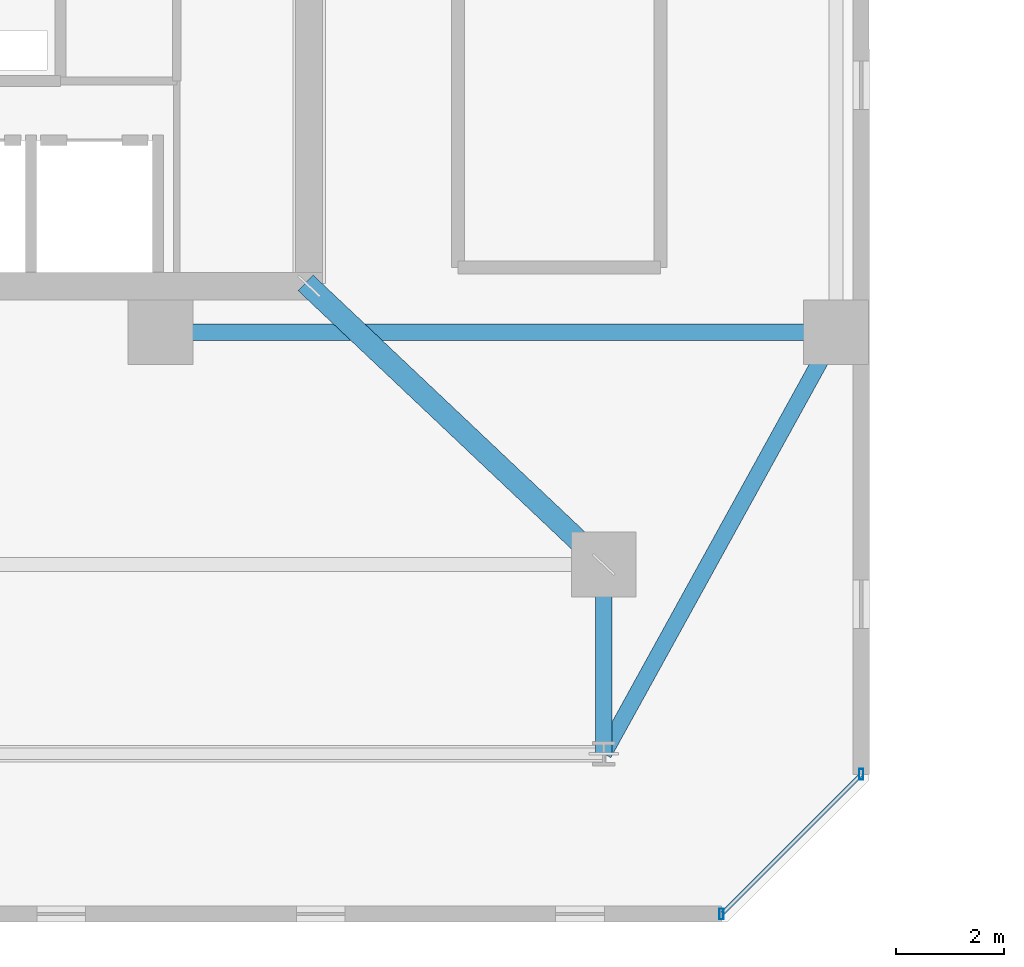
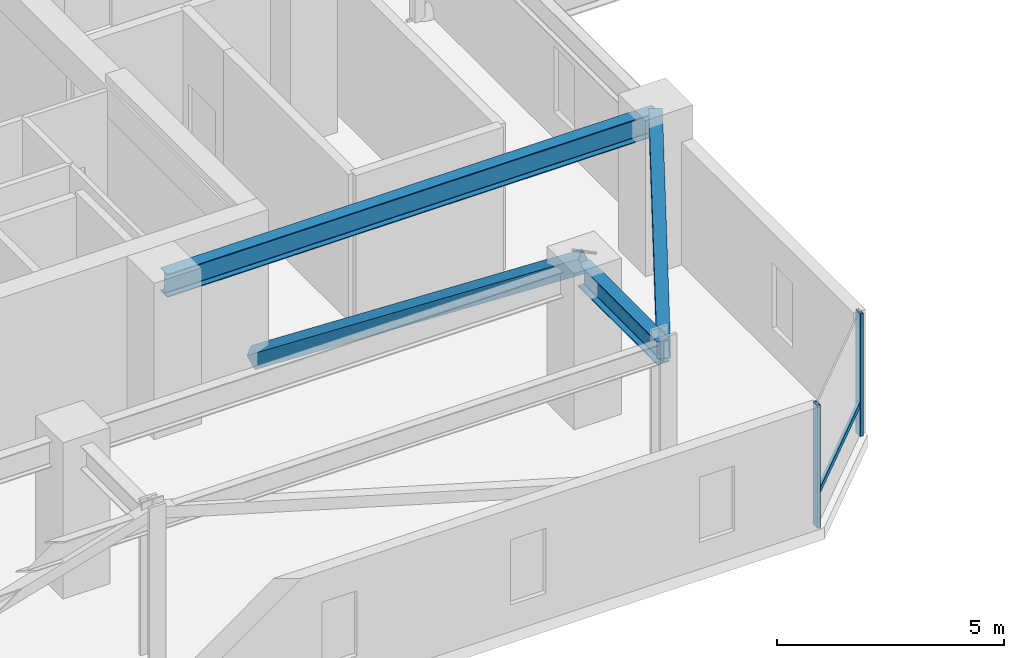
# One storey, part 5 of 45: 4 members, 3 beams, 1 element without a shape of its own.
"""IFC4 building model written with IfcOpenShell, lengths in metres."""

from ifc_helpers import new_model, si_unit, direction, frame, origin, origin_2d, place, context, subcontext, project, spatial, hollow_rectangle, i_section, extrude, material, material_profile, profile_set, type_object, element, aggregate, save


model = new_model("IFC4")

# Units and contexts
model_context = context("Model", 3, precision=1e-05, world=origin(), true_north=direction((0.0, 1.0)))
body_context = subcontext(model_context, "Body", "Model", "MODEL_VIEW")
ifc_project = project(units=[si_unit("LENGTHUNIT", "METRE"), si_unit("AREAUNIT", "SQUARE_METRE"), si_unit("VOLUMEUNIT", "CUBIC_METRE"), si_unit("PLANEANGLEUNIT", "RADIAN"), si_unit("MASSUNIT", "GRAM", prefix="KILO")], contexts=[model_context])

# Site, building, storey
site_placement = place(None, origin())
site = spatial("IfcSite", under=ifc_project, at=site_placement, CompositionType="ELEMENT")
building_placement = place(site_placement, origin())
building = spatial("IfcBuilding", under=site, at=building_placement, Name="Thornwick Lancets Civic Towers", CompositionType="ELEMENT")
storey_placement = place(building_placement, frame((0.0, 0.0, 141.300048828125)))
storey = spatial("IfcBuildingStorey", under=building, at=storey_placement, Name="L37", CompositionType="ELEMENT", Elevation=141.300048828125)

# Beams
ifc_material_1 = material(Name="Steel S355JR", Category="steel")
ifc_material_profile_1 = material_profile(ifc_material_1, i_section(OverallWidth=0.30712890625, OverallDepth=0.6201171875, WebThickness=0.01416015625, FlangeThickness=0.023681640625, FilletRadius=0.0166015625, at=origin_2d()), Name="UKB 610x305x179")
ifc_profile_set_1 = profile_set([ifc_material_profile_1], Name="Steel S355JR")
beam_type_1 = type_object("IfcBeamType", Name="BM_GIRD_610_179", PredefinedType="BEAM", material=ifc_profile_set_1)
beam_1_placement = place(storey_placement, frame((38.5, 9.699951171875, 3.64990234375), z_axis=(0.0, -1.0, 0.0), x_axis=(1.0, 0.0, 0.0)))
element("IfcBeam", 1, at=beam_1_placement, inside=storey, type_object=beam_type_1, Name="BM-RAD-L37-A03", PredefinedType="BEAM", context=body_context, shape_type="SweptSolid", body=[
    extrude(i_section(OverallWidth=0.30712890625, OverallDepth=0.6201171875, WebThickness=0.01416015625, FlangeThickness=0.023681640625, FilletRadius=0.0166015625, at=origin_2d()), origin(), (0.0, 0.0, 1.0), 3.5),
])
beam_2_placement = place(storey_placement, frame((30.300048828125, 14.0, 3.64990234375), z_axis=(1.0, 0.0, 0.0), x_axis=(0.0, 1.0, 0.0)))
element("IfcBeam", 2, at=beam_2_placement, inside=storey, type_object=beam_type_1, Name="BM-RADIN-L37-A04", PredefinedType="BEAM", context=body_context, shape_type="SweptSolid", body=[
    extrude(i_section(OverallWidth=0.30712890625, OverallDepth=0.6201171875, WebThickness=0.01416015625, FlangeThickness=0.023681640625, FilletRadius=0.0166015625, at=origin_2d()), origin(), (0.0, 0.0, 1.0), 12.5),
])
ifc_material_2 = material(Name="Steel S460M", Category="steel")
ifc_material_profile_2 = material_profile(ifc_material_2, hollow_rectangle(XDim=0.300048828125, YDim=0.5, WallThickness=0.02001953125, at=origin_2d()), Name="RHS 500x300x20")
ifc_profile_set_2 = profile_set([ifc_material_profile_2], Name="Steel S460M")
beam_type_2 = type_object("IfcBeamType", Name="BM_RING_RHS500", PredefinedType="BEAM", material=ifc_profile_set_2)
beam_3_placement = place(storey_placement, frame((38.5, 6.199951171875, 3.7099609375), z_axis=(0.482782395749, 0.875740348708, 0.0), x_axis=(-0.875740348708, 0.482782395749, 0.0)))
element("IfcBeam", 3, at=beam_3_placement, inside=storey, type_object=beam_type_2, Name="BM-CHAMF-L37-A-C0", PredefinedType="BEAM", context=body_context, shape_type="SweptSolid", body=[
    extrude(hollow_rectangle(XDim=0.300048828125, YDim=0.5, WallThickness=0.02001953125, at=origin_2d()), origin(), (0.0, 0.0, 1.0), 8.90673828125),
])

# Curtain wall, members
ifc_material_3 = material(Name="Mid-zone chamfered-corner unitised glass curtain wall", Category="glass")
curtain_wall_type = type_object("IfcCurtainWallType", Name="CW_SYS_04", PredefinedType="NOTDEFINED", material=ifc_material_3)
curtain_wall_placement = place(storey_placement, origin())
curtain_wall = element("IfcCurtainWall", 4, at=curtain_wall_placement, inside=storey, type_object=curtain_wall_type, Name="L37 Curtain Wall CW-L37-A-E1", PredefinedType="NOTDEFINED")
ifc_material_4 = material(Name="Thermally broken bronze aluminium S355", Category="steel")
ifc_material_profile_3 = material_profile(ifc_material_4, hollow_rectangle(XDim=0.080078125, YDim=0.199951171875, WallThickness=0.006103515625, at=origin_2d()), Name="RHS 200x80x6")
ifc_profile_set_3 = profile_set([ifc_material_profile_3], Name="Thermally broken bronze aluminium S355")
member_type_1 = type_object("IfcMemberType", Name="CW_MUL_200", PredefinedType="MULLION", material=ifc_profile_set_3)
member_1_placement = place(storey_placement, frame((40.681396484375, 3.2353515625, 0.0), z_axis=(0.0, 0.0, 1.0), x_axis=(1.0, 0.0, 0.0)))
member_1 = element("IfcMember", 5, at=member_1_placement, type_object=member_type_1, Name="CW-L37-A-E1 Mullion 0", PredefinedType="MULLION", context=body_context, shape_type="SweptSolid", body=[
    extrude(hollow_rectangle(XDim=0.080078125, YDim=0.199951171875, WallThickness=0.006103515625, at=origin_2d()), origin(), (0.0, 0.0, 1.0), 3.300048828125),
])
member_2_placement = place(storey_placement, frame((43.2646484375, 5.818603515625, 0.0), z_axis=(0.0, 0.0, 1.0), x_axis=(1.0, 0.0, 0.0)))
member_2 = element("IfcMember", 6, at=member_2_placement, type_object=member_type_1, Name="CW-L37-A-E1 Mullion 1", PredefinedType="MULLION", context=body_context, shape_type="SweptSolid", body=[
    extrude(hollow_rectangle(XDim=0.080078125, YDim=0.199951171875, WallThickness=0.006103515625, at=origin_2d()), origin(), (0.0, 0.0, 1.0), 3.300048828125),
])
ifc_material_profile_4 = material_profile(ifc_material_4, hollow_rectangle(XDim=0.074951171875, YDim=0.14990234375, WallThickness=0.0048828125, at=origin_2d()), Name="RHS 150x75x5")
ifc_profile_set_4 = profile_set([ifc_material_profile_4], Name="Thermally broken bronze aluminium S355")
member_type_2 = type_object("IfcMemberType", Name="CW_TRN_150", PredefinedType="USERDEFINED", material=ifc_profile_set_4)
member_3_placement = place(storey_placement, frame((40.695556640625, 3.24951171875, 0.849853515625), z_axis=(0.707106781187, 0.707106781187, 0.0), x_axis=(-0.707106781187, 0.707106781187, 0.0)))
member_3 = element("IfcMember", 7, at=member_3_placement, type_object=member_type_2, Name="CW-L37-A-E1 Transom 0", ObjectType="TRANSOM", PredefinedType="USERDEFINED", context=body_context, shape_type="SweptSolid", body=[
    extrude(hollow_rectangle(XDim=0.074951171875, YDim=0.14990234375, WallThickness=0.0048828125, at=origin_2d()), origin(), (0.0, 0.0, 1.0), 3.61328125),
])
aggregate(curtain_wall, [member_1, member_2, member_3])

# Member
ifc_material_profile_5 = material_profile(ifc_material_2, hollow_rectangle(XDim=0.39990234375, YDim=0.39990234375, WallThickness=0.02001953125, at=origin_2d()), Name="SHS 400x400x20")
ifc_profile_set_5 = profile_set([ifc_material_profile_5], Name="Steel S460M")
member_type_3 = type_object("IfcMemberType", Name="MEM_OUTRIG_SHS400", PredefinedType="BRACE", material=ifc_profile_set_5)
member_4_placement = place(storey_placement, frame((33.050048828125, 14.85009765625, 0.14990234375), z_axis=(0.6479661798, -0.612321218604, 0.452992886349), x_axis=(0.686832880872, 0.726815378038, 0.0)))
element("IfcMember", 8, at=member_4_placement, inside=storey, type_object=member_type_3, Name="L37 Outrigger Brace A-1", PredefinedType="BRACE", context=body_context, shape_type="SweptSolid", body=[
    extrude(hollow_rectangle(XDim=0.39990234375, YDim=0.39990234375, WallThickness=0.02001953125, at=origin_2d()), origin(), (0.0, 0.0, 1.0), 8.410888671875),
])

save(model, "model.ifc")
